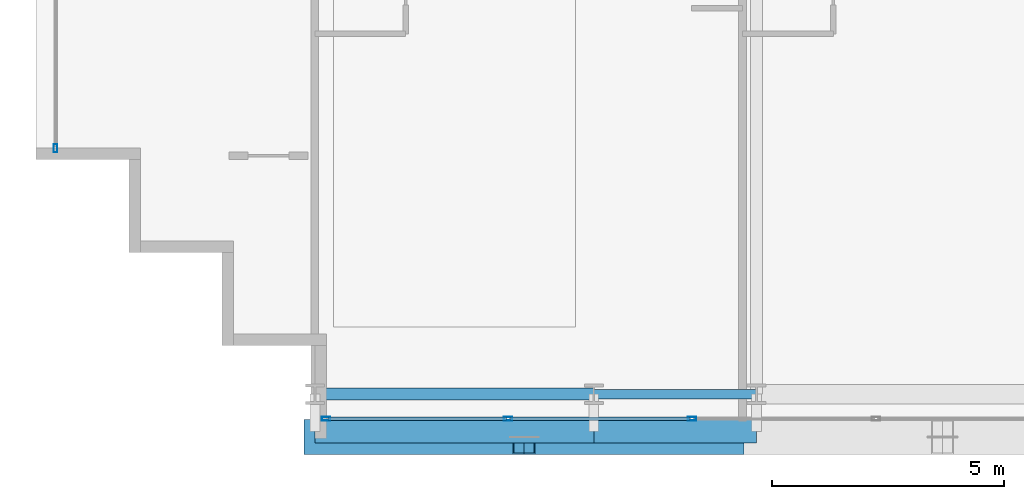
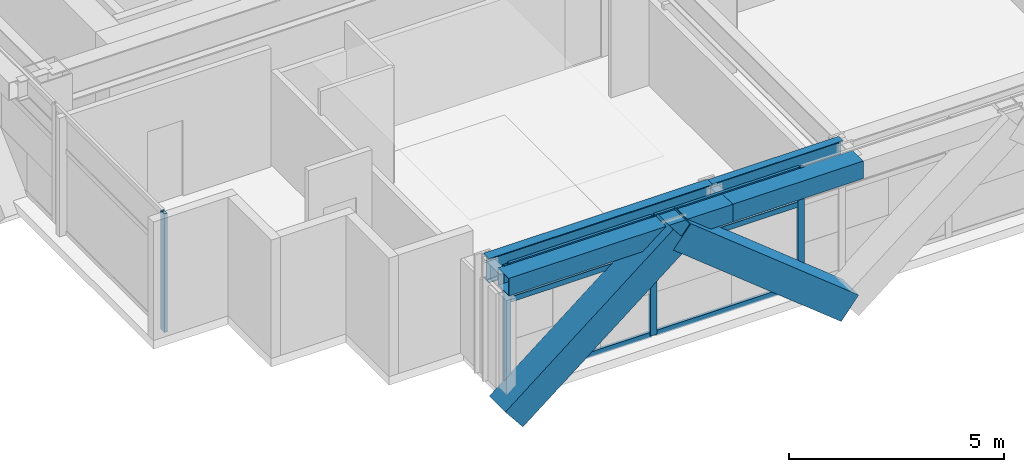
# One storey, part 2 of 34: 12 members, 4 beams, 2 elements without a shape of their own.
"""IFC4 building model written with IfcOpenShell, lengths in metres."""

import ifcopenshell
import ifcopenshell.guid

model = None  # the IFC model being written
_history = None  # IfcOwnerHistory: only IFC2X3 demands one
_inside = {}  # id of a spatial element -> (the spatial element, [elements in it])
_under = {}  # id of a project, library or spatial element -> (it, [spatial elements below it])
_declared = {}  # id of a project -> (the project, [libraries it declares])
_typed = {}  # id of a type object -> (the type object, [elements of that type])
_made_of = {}  # id of a material, layer set ... -> (it, [elements and type objects made of it])


def new_model(schema):
    """Start an empty IFC model of exactly this schema.

    Asked for "IFC4X3", IfcOpenShell would pick the latest addendum, in which some entities
    have other attributes; the version numbers below select the first issue.
    IFC2X3 requires an IfcOwnerHistory on every rooted entity: one is made here for all.
    """
    global model, _history
    if schema == "IFC4X3":
        model = ifcopenshell.file(schema_version=(4, 3, 0, 0))
    else:
        model = ifcopenshell.file(schema=schema)
    _inside.clear()
    _under.clear()
    _declared.clear()
    _typed.clear()
    _made_of.clear()
    _history = None
    if model.schema == "IFC2X3":
        org = make("IfcOrganization", Name="unknown")
        user = make(
            "IfcPersonAndOrganization",
            ThePerson=make("IfcPerson", FamilyName="unknown"),
            TheOrganization=org,
        )
        app = make(
            "IfcApplication",
            ApplicationDeveloper=org,
            Version="unknown",
            ApplicationFullName="unknown",
            ApplicationIdentifier="unknown",
        )
        _history = make(
            "IfcOwnerHistory",
            OwningUser=user,
            OwningApplication=app,
            ChangeAction="ADDED",
            CreationDate=0,
        )
    return model


def make(cls, **values):
    """One entity of the class cls with the attributes given. An attribute that is None is left unset."""
    return model.create_entity(
        cls, **{name: value for name, value in values.items() if value is not None}
    )


def rooted(cls, **values):
    """An entity with a GlobalId (a new one), such as an element, a storey or a relation."""
    return make(cls, GlobalId=ifcopenshell.guid.new(), OwnerHistory=_history, **values)


def si_unit(unit_type, name, prefix=None):
    """IfcSIUnit, for example si_unit("LENGTHUNIT", "METRE", prefix="MILLI")."""
    return make("IfcSIUnit", UnitType=unit_type, Prefix=prefix, Name=name)


def assignment(units):
    """IfcUnitAssignment: the units of a project."""
    return None if units is None else make("IfcUnitAssignment", Units=units)


def point(xyz):
    """IfcCartesianPoint."""
    return None if xyz is None else make("IfcCartesianPoint", Coordinates=xyz)


def direction(xyz):
    """IfcDirection."""
    return None if xyz is None else make("IfcDirection", DirectionRatios=xyz)


def frame(location, z_axis=None, x_axis=None):
    """IfcAxis2Placement3D, a coordinate frame: its origin and axes. An axis left out is left unset."""
    return make(
        "IfcAxis2Placement3D",
        Location=point(location),
        Axis=direction(z_axis),
        RefDirection=direction(x_axis),
    )


def frame_2d(location, x_axis=None):
    """IfcAxis2Placement2D, a coordinate frame in the plane: its origin and x axis."""
    return make(
        "IfcAxis2Placement2D", Location=point(location), RefDirection=direction(x_axis)
    )


def origin():
    """The frame at (0, 0, 0) with its axes left unset."""
    return frame((0.0, 0.0, 0.0))


def origin_2d():
    """The frame at (0, 0) in the plane with its x axis left unset."""
    return frame_2d((0.0, 0.0))


def place(relative_to, where):
    """IfcLocalPlacement: puts the frame where relative to a parent placement (None: the world)."""
    return make(
        "IfcLocalPlacement", PlacementRelTo=relative_to, RelativePlacement=where
    )


def context(
    kind, dimensions, precision=None, world=None, true_north=None, identifier=None
):
    """IfcGeometricRepresentationContext, for example the 3D "Model" context."""
    return make(
        "IfcGeometricRepresentationContext",
        ContextIdentifier=identifier,
        ContextType=kind,
        CoordinateSpaceDimension=dimensions,
        Precision=precision,
        WorldCoordinateSystem=world,
        TrueNorth=true_north,
    )


def subcontext(parent, identifier, kind, view, scale=None):
    """IfcGeometricRepresentationSubContext, for example "Body" below "Model"."""
    return make(
        "IfcGeometricRepresentationSubContext",
        ContextIdentifier=identifier,
        ContextType=kind,
        ParentContext=parent,
        TargetScale=scale,
        TargetView=view,
    )


def project(units=None, contexts=None):
    """IfcProject with its units and contexts."""
    return rooted(
        "IfcProject",
        Name="project",
        RepresentationContexts=contexts,
        UnitsInContext=assignment(units),
    )


def spatial(cls, under=None, at=None, **own):
    """A site, building, storey or space (cls), placed at a placement, below another one or the project."""
    s = rooted(cls, ObjectPlacement=at, **own)
    if under is not None:
        _under.setdefault(under.id(), (under, []))[1].append(s)
    return s


def profile(cls, at=None, kind="AREA", **sizes):
    """A parametric profile (cls). Its sizes go by their IFC names, for example OverallWidth=200.0."""
    return make(cls, ProfileType=kind, Position=at, **sizes)


def hollow_rectangle(**sizes):
    """IfcRectangleHollowProfileDef."""
    return profile("IfcRectangleHollowProfileDef", **sizes)


def i_section(**sizes):
    """IfcIShapeProfileDef."""
    return profile("IfcIShapeProfileDef", **sizes)


def extrude(swept, where, along, depth):
    """IfcExtrudedAreaSolid: the profile swept, set in the frame where, extruded along a direction by depth."""
    return make(
        "IfcExtrudedAreaSolid",
        SweptArea=swept,
        Position=where,
        ExtrudedDirection=direction(along),
        Depth=depth,
    )


def shape(context_of_items, identifier, shape_type, items):
    """IfcShapeRepresentation: the items that make up one representation, for example the "Body"."""
    return make(
        "IfcShapeRepresentation",
        ContextOfItems=context_of_items,
        RepresentationIdentifier=identifier,
        RepresentationType=shape_type,
        Items=items,
    )


def source(mapping_origin, context_of_items, identifier, shape_type, items):
    """IfcRepresentationMap: a shape defined once, which mapped items show again and again."""
    return make(
        "IfcRepresentationMap",
        MappingOrigin=mapping_origin,
        MappedRepresentation=shape(context_of_items, identifier, shape_type, items),
    )


def transform(
    local_origin,
    x_axis=None,
    y_axis=None,
    z_axis=None,
    scale=None,
    scale2=None,
    scale3=None,
    uniform=True,
):
    """IfcCartesianTransformationOperator3D, or its non-uniform kind. x_axis, y_axis, z_axis: its Axis1, 2, 3."""
    if uniform:
        return make(
            "IfcCartesianTransformationOperator3D",
            Axis1=direction(x_axis),
            Axis2=direction(y_axis),
            LocalOrigin=point(local_origin),
            Scale=scale,
            Axis3=direction(z_axis),
        )
    return make(
        "IfcCartesianTransformationOperator3DnonUniform",
        Axis1=direction(x_axis),
        Axis2=direction(y_axis),
        LocalOrigin=point(local_origin),
        Scale=scale,
        Axis3=direction(z_axis),
        Scale2=scale2,
        Scale3=scale3,
    )


def mapped(mapping_source, mapping_target):
    """IfcMappedItem: shows the shape of a source again, moved by a transform."""
    return make(
        "IfcMappedItem", MappingSource=mapping_source, MappingTarget=mapping_target
    )


def material(Name=None, Category=None):
    """IfcMaterial."""
    return make("IfcMaterial", Name=Name, Category=Category)


def layer(
    of_material, thickness, ventilated=None, Name=None, Category=None, Priority=None
):
    """IfcMaterialLayer: one layer of a wall or slab, of a material (None: an air gap)."""
    return make(
        "IfcMaterialLayer",
        Material=of_material,
        LayerThickness=thickness,
        IsVentilated=ventilated,
        Name=Name,
        Category=Category,
        Priority=Priority,
    )


def layer_set(layers, Name=None):
    """IfcMaterialLayerSet."""
    return make("IfcMaterialLayerSet", MaterialLayers=layers, LayerSetName=Name)


def material_profile(
    of_material, cross_section, Name=None, Category=None, Priority=None
):
    """IfcMaterialProfile: a cross section and its material."""
    return make(
        "IfcMaterialProfile",
        Name=Name,
        Material=of_material,
        Profile=cross_section,
        Priority=Priority,
        Category=Category,
    )


def profile_set(profiles, Name=None, composite=None):
    """IfcMaterialProfileSet."""
    return make(
        "IfcMaterialProfileSet",
        Name=Name,
        MaterialProfiles=profiles,
        CompositeProfile=composite,
    )


def made_of(thing, what):
    """Note that an element or type object is made of a material, layer set ...; save() writes the relation."""
    if what is not None:
        _made_of.setdefault(what.id(), (what, []))[1].append(thing)
    return thing


def type_object(cls, material=None, **own):
    """A type object (cls), such as IfcWallType, which elements share."""
    return made_of(rooted(cls, **own), material)


def element(
    cls,
    number,
    at=None,
    inside=None,
    cuts=None,
    type_object=None,
    material=None,
    context=None,
    identifier="Body",
    shape_type=None,
    held_by="IfcProductDefinitionShape",
    body=None,
    shapes=None,
    **own,
):
    """One element of the class cls, such as IfcWall. Its Tag is "e" and its number.

    at: its placement. inside: the storey or other place that contains it. cuts: it is an
    opening in that element (IfcRelVoidsElement). A single representation is given by context,
    identifier, shape_type and body (its items); several are given by shapes. held_by: the class
    of the entity that holds the representations. save() writes the other relations.
    """
    e = rooted(cls, Tag="e%d" % number, ObjectPlacement=at, **own)
    if body is not None:
        shapes = [shape(context, identifier, shape_type, body)]
    if shapes is not None:
        e.Representation = make(held_by, Representations=shapes)
    if inside is not None:
        _inside.setdefault(inside.id(), (inside, []))[1].append(e)
    if cuts is not None:
        rooted(
            "IfcRelVoidsElement", RelatingBuildingElement=cuts, RelatedOpeningElement=e
        )
    if type_object is not None:
        _typed.setdefault(type_object.id(), (type_object, []))[1].append(e)
    return made_of(e, material)


def aggregate(whole, parts):
    """IfcRelAggregates: a whole, such as a stair, and the parts it consists of."""
    return rooted("IfcRelAggregates", RelatingObject=whole, RelatedObjects=parts)


def save(model, path):
    """Write the relations noted so far, then the file.

    IfcRelAggregates (storeys below a building ...), IfcRelContainedInSpatialStructure (elements
    in a storey), IfcRelDefinesByType, IfcRelAssociatesMaterial and IfcRelDeclares: one each for
    every whole, place, type object, material and project.
    """
    for whole, parts in _under.values():
        aggregate(whole, parts)
    for where, things in _inside.values():
        rooted(
            "IfcRelContainedInSpatialStructure",
            RelatedElements=things,
            RelatingStructure=where,
        )
    for kind, things in _typed.values():
        rooted("IfcRelDefinesByType", RelatedObjects=things, RelatingType=kind)
    for what, things in _made_of.values():
        rooted("IfcRelAssociatesMaterial", RelatedObjects=things, RelatingMaterial=what)
    for by, libraries in _declared.values():
        rooted("IfcRelDeclares", RelatingContext=by, RelatedDefinitions=libraries)
    model.write(path)


model = new_model("IFC4")

# Units and contexts
model_context = context("Model", 3, precision=1e-05, world=origin(), true_north=direction((0.0, 1.0)))
body_context = subcontext(model_context, "Body", "Model", "MODEL_VIEW")
ifc_project = project(units=[si_unit("LENGTHUNIT", "METRE"), si_unit("AREAUNIT", "SQUARE_METRE"), si_unit("VOLUMEUNIT", "CUBIC_METRE"), si_unit("PLANEANGLEUNIT", "RADIAN"), si_unit("MASSUNIT", "GRAM", prefix="KILO")], contexts=[model_context])

# Site, building, storey
site_placement = place(None, origin())
site = spatial("IfcSite", under=ifc_project, at=site_placement, CompositionType="ELEMENT")
building_placement = place(site_placement, origin())
building = spatial("IfcBuilding", under=site, at=building_placement, Name="Ocotamira Hotel", CompositionType="ELEMENT")
storey_placement = place(building_placement, frame((0.0, 0.0, 111.60009765625)))
storey = spatial("IfcBuildingStorey", under=building, at=storey_placement, Name="L27", CompositionType="ELEMENT", Elevation=111.60009765625)

# Beams
ifc_material_1 = material(Name="Steel ASTM A992 Grade 50", Category="steel")
ifc_material_profile_1 = material_profile(ifc_material_1, i_section(OverallWidth=0.256103515625, OverallDepth=0.693115234375, WebThickness=0.014404296875, FlangeThickness=0.023681640625, FilletRadius=0.01611328125, at=origin_2d()), Name="W27X114")
ifc_profile_set_1 = profile_set([ifc_material_profile_1], Name="Steel ASTM A992 Grade 50")
beam_type_1 = type_object("IfcBeamType", Name="BM-PRIM-W27X114", PredefinedType="BEAM", material=ifc_profile_set_1)
shared_shape_1 = source(origin(), body_context, "Body", "SweptSolid", [
    extrude(i_section(OverallWidth=0.256103515625, OverallDepth=0.693115234375, WebThickness=0.014404296875, FlangeThickness=0.023681640625, FilletRadius=0.01611328125, at=origin_2d()), origin(), (0.0, 0.0, 1.0), 6.0),
])
beam_1_placement = place(storey_placement, frame((14.0, 2.949951171875, 3.013427734375), z_axis=(1.0, 0.0, 0.0), x_axis=(0.0, 1.0, 0.0)))
element("IfcBeam", 1, at=beam_1_placement, inside=storey, type_object=beam_type_1, Name="L27 Girder Y2.95 X14-20", PredefinedType="BEAM", context=body_context, shape_type="MappedRepresentation", body=[
    mapped(shared_shape_1, transform((0.0, 0.0, 0.0), scale=1.0)),
])
ifc_material_profile_2 = material_profile(ifc_material_1, i_section(OverallWidth=0.2099609375, OverallDepth=0.537109375, WebThickness=0.010986328125, FlangeThickness=0.017333984375, FilletRadius=0.012939453125, at=origin_2d()), Name="W21X68")
ifc_profile_set_2 = profile_set([ifc_material_profile_2], Name="Steel ASTM A992 Grade 50")
beam_type_2 = type_object("IfcBeamType", Name="BM-SEC-W21X68", PredefinedType="JOIST", material=ifc_profile_set_2)
shared_shape_2 = source(origin(), body_context, "Body", "SweptSolid", [
    extrude(i_section(OverallWidth=0.2099609375, OverallDepth=0.537109375, WebThickness=0.010986328125, FlangeThickness=0.017333984375, FilletRadius=0.012939453125, at=origin_2d()), origin(), (0.0, 0.0, 1.0), 3.5),
])
beam_2_placement = place(storey_placement, frame((20.0, 2.949951171875, 3.09130859375), z_axis=(1.0, 0.0, 0.0), x_axis=(0.0, 1.0, 0.0)))
element("IfcBeam", 2, at=beam_2_placement, inside=storey, type_object=beam_type_2, Name="L27 Girder Y2.95 X20-23.5", PredefinedType="JOIST", context=body_context, shape_type="MappedRepresentation", body=[
    mapped(shared_shape_2, transform((0.0, 0.0, 0.0), scale=1.0)),
])
ifc_material_2 = material(Name="Steel ASTM A500 Grade C", Category="steel")
ifc_material_profile_3 = material_profile(ifc_material_2, hollow_rectangle(XDim=0.5, YDim=0.5, WallThickness=0.02001953125, at=origin_2d()), Name="HSS500X500X20")
ifc_profile_set_3 = profile_set([ifc_material_profile_3], Name="Steel ASTM A500 Grade C")
beam_type_3 = type_object("IfcBeamType", Name="BM-SPAN-HSS500", PredefinedType="USERDEFINED", material=ifc_profile_set_3)
shared_shape_3 = source(origin(), body_context, "Body", "SweptSolid", [
    extrude(hollow_rectangle(XDim=0.5, YDim=0.5, WallThickness=0.02001953125, at=origin_2d()), origin(), (0.0, 0.0, 1.0), 6.0),
])
beam_3_placement = place(storey_placement, frame((14.0, 2.14990234375, 3.10986328125), z_axis=(1.0, 0.0, 0.0), x_axis=(0.0, 1.0, 0.0)))
element("IfcBeam", 3, at=beam_3_placement, inside=storey, type_object=beam_type_3, Name="L27 Edge Spandrel S X14-20", ObjectType="SPANDREL", PredefinedType="USERDEFINED", context=body_context, shape_type="MappedRepresentation", body=[
    mapped(shared_shape_3, transform((0.0, 0.0, 0.0), scale=1.0)),
])
shared_shape_4 = source(origin(), body_context, "Body", "SweptSolid", [
    extrude(hollow_rectangle(XDim=0.5, YDim=0.5, WallThickness=0.02001953125, at=origin_2d()), origin(), (0.0, 0.0, 1.0), 3.5),
])
beam_4_placement = place(storey_placement, frame((20.0, 2.14990234375, 3.10986328125), z_axis=(1.0, 0.0, 0.0), x_axis=(0.0, 1.0, 0.0)))
element("IfcBeam", 4, at=beam_4_placement, inside=storey, type_object=beam_type_3, Name="L27 Edge Spandrel S X20-23.5", ObjectType="SPANDREL", PredefinedType="USERDEFINED", context=body_context, shape_type="MappedRepresentation", body=[
    mapped(shared_shape_4, transform((0.0, 0.0, 0.0), scale=1.0)),
])

# Members
ifc_material_3 = material(Name="Pale-metal coated steel ASTM A913 Grade 65", Category="steel")
ifc_material_profile_4 = material_profile(ifc_material_3, hollow_rectangle(XDim=0.75, YDim=0.75, WallThickness=0.028076171875, at=origin_2d()), Name="BOX750X750X28")
ifc_profile_set_4 = profile_set([ifc_material_profile_4], Name="Pale-metal coated steel ASTM A913 Grade 65")
member_type_1 = type_object("IfcMemberType", Name="MEM-EXO-BOX750", PredefinedType="BRACE", material=ifc_profile_set_4)
shared_shape_5 = source(origin(), body_context, "Body", "SweptSolid", [
    extrude(hollow_rectangle(XDim=0.75, YDim=0.75, WallThickness=0.028076171875, at=origin_2d()), origin(), (0.0, 0.0, 1.0), 5.7626953125),
])
for number, where, z_axis, x_axis, name in (
    (5, (14.0, 2.030029296875, -0.489990234375), (0.780881208953, 0.0, 0.624679547852), (0.0, 1.0, 0.0), "L27 Exoskeleton Diagrid S0.1"),
    (6, (23.0, 2.030029296875, -0.489990234375), (-0.780881208953, 0.0, 0.624679547852), (0.0, -1.0, 0.0), "L27 Exoskeleton Diagrid S0.2"),
):
    element("IfcMember", number, at=place(storey_placement, frame(where, z_axis=z_axis, x_axis=x_axis)), inside=storey, type_object=member_type_1, Name=name, PredefinedType="BRACE", context=body_context, shape_type="MappedRepresentation", body=[
        mapped(shared_shape_5, transform((0.0, 0.0, 0.0), scale=1.0)),
    ])

# Curtain wall, members
ifc_material_4 = material(Name="Anodised pale-metal aluminium and solar glass", Category="aluminium")
ifc_layer = layer(ifc_material_4, 0.179931640625)
ifc_layer_set = layer_set([ifc_layer], Name="Anodised pale-metal aluminium and solar glass")
curtain_wall_type = type_object("IfcCurtainWallType", Name="CW-SYS3-Z2", PredefinedType="NOTDEFINED", material=ifc_layer_set)
curtain_wall_1_placement = place(storey_placement, origin())
curtain_wall_1 = element("IfcCurtainWall", 7, at=curtain_wall_1_placement, inside=storey, type_object=curtain_wall_type, Name="L27 Curtain Wall CW-3 CW-L27-S1", PredefinedType="NOTDEFINED")
ifc_material_5 = material(Name="Anodised pale-metal aluminium 6063-T6", Category="aluminium")
ifc_material_profile_5 = material_profile(ifc_material_5, hollow_rectangle(XDim=0.074951171875, YDim=0.14990234375, WallThickness=0.006103515625, at=origin_2d()), Name="HSS150X75X6")
ifc_profile_set_5 = profile_set([ifc_material_profile_5], Name="Anodised pale-metal aluminium 6063-T6")
member_type_2 = type_object("IfcMemberType", Name="CWT-150X75", PredefinedType="USERDEFINED", material=ifc_profile_set_5)
shared_shape_6 = source(origin(), body_context, "Body", "SweptSolid", [
    extrude(hollow_rectangle(XDim=0.074951171875, YDim=0.14990234375, WallThickness=0.006103515625, at=origin_2d()), origin(), (0.0, 0.0, 1.0), 3.83544921875),
])
member_1_placement = place(storey_placement, frame((14.280029296875, 2.419921875, 0.037353515625), z_axis=(1.0, 0.0, 0.0), x_axis=(0.0, 1.0, 0.0)))
member_1 = element("IfcMember", 8, at=member_1_placement, type_object=member_type_2, Name="CW-3 transom 1.1", ObjectType="TRANSOM", PredefinedType="USERDEFINED", context=body_context, shape_type="MappedRepresentation", body=[
    mapped(shared_shape_6, transform((0.0, 0.0, 0.0), scale=1.0)),
])
member_2_placement = place(storey_placement, frame((14.280029296875, 2.419921875, 2.349853515625), z_axis=(1.0, 0.0, 0.0), x_axis=(0.0, 1.0, 0.0)))
member_2 = element("IfcMember", 9, at=member_2_placement, type_object=member_type_2, Name="CW-3 transom 1.2", ObjectType="TRANSOM", PredefinedType="USERDEFINED", context=body_context, shape_type="MappedRepresentation", body=[
    mapped(shared_shape_6, transform((0.0, 0.0, 0.0), scale=1.0)),
])
member_3_placement = place(storey_placement, frame((14.280029296875, 2.419921875, 3.322509765625), z_axis=(1.0, 0.0, 0.0), x_axis=(0.0, 1.0, 0.0)))
member_3 = element("IfcMember", 10, at=member_3_placement, type_object=member_type_2, Name="CW-3 transom 1.3", ObjectType="TRANSOM", PredefinedType="USERDEFINED", context=body_context, shape_type="MappedRepresentation", body=[
    mapped(shared_shape_6, transform((0.0, 0.0, 0.0), scale=1.0)),
])
shared_shape_7 = source(origin(), body_context, "Body", "SweptSolid", [
    extrude(hollow_rectangle(XDim=0.074951171875, YDim=0.14990234375, WallThickness=0.006103515625, at=origin_2d()), origin(), (0.0, 0.0, 1.0), 3.87548828125),
])
member_4_placement = place(storey_placement, frame((18.195556640625, 2.419921875, 0.037353515625), z_axis=(1.0, 0.0, 0.0), x_axis=(0.0, 1.0, 0.0)))
member_4 = element("IfcMember", 11, at=member_4_placement, type_object=member_type_2, Name="CW-3 transom 2.1", ObjectType="TRANSOM", PredefinedType="USERDEFINED", context=body_context, shape_type="MappedRepresentation", body=[
    mapped(shared_shape_7, transform((0.0, 0.0, 0.0), scale=1.0)),
])
member_5_placement = place(storey_placement, frame((18.195556640625, 2.419921875, 2.349853515625), z_axis=(1.0, 0.0, 0.0), x_axis=(0.0, 1.0, 0.0)))
member_5 = element("IfcMember", 12, at=member_5_placement, type_object=member_type_2, Name="CW-3 transom 2.2", ObjectType="TRANSOM", PredefinedType="USERDEFINED", context=body_context, shape_type="MappedRepresentation", body=[
    mapped(shared_shape_7, transform((0.0, 0.0, 0.0), scale=1.0)),
])
member_6_placement = place(storey_placement, frame((18.195556640625, 2.419921875, 3.322509765625), z_axis=(1.0, 0.0, 0.0), x_axis=(0.0, 1.0, 0.0)))
member_6 = element("IfcMember", 13, at=member_6_placement, type_object=member_type_2, Name="CW-3 transom 2.3", ObjectType="TRANSOM", PredefinedType="USERDEFINED", context=body_context, shape_type="MappedRepresentation", body=[
    mapped(shared_shape_7, transform((0.0, 0.0, 0.0), scale=1.0)),
])
ifc_material_profile_6 = material_profile(ifc_material_5, hollow_rectangle(XDim=0.080078125, YDim=0.179931640625, WallThickness=0.006103515625, at=origin_2d()), Name="HSS180X80X6")
ifc_profile_set_6 = profile_set([ifc_material_profile_6], Name="Anodised pale-metal aluminium 6063-T6")
member_type_3 = type_object("IfcMemberType", Name="CWM-180X75", PredefinedType="MULLION", material=ifc_profile_set_6)
shared_shape_8 = source(origin(), body_context, "Body", "SweptSolid", [
    extrude(hollow_rectangle(XDim=0.080078125, YDim=0.179931640625, WallThickness=0.006103515625, at=origin_2d()), origin(), (0.0, 0.0, 1.0), 3.35986328125),
])
member_7_placement = place(storey_placement, frame((14.239990234375, 2.419921875, 0.0), z_axis=(0.0, 0.0, 1.0), x_axis=(0.0, 1.0, 0.0)))
member_7 = element("IfcMember", 14, at=member_7_placement, type_object=member_type_3, Name="CW-3 mullion 1", PredefinedType="MULLION", context=body_context, shape_type="MappedRepresentation", body=[
    mapped(shared_shape_8, transform((0.0, 0.0, 0.0), scale=1.0)),
])
member_8_placement = place(storey_placement, frame((18.155517578125, 2.419921875, 0.0), z_axis=(0.0, 0.0, 1.0), x_axis=(0.0, 1.0, 0.0)))
member_8 = element("IfcMember", 15, at=member_8_placement, type_object=member_type_3, Name="CW-3 mullion 2", PredefinedType="MULLION", context=body_context, shape_type="MappedRepresentation", body=[
    mapped(shared_shape_8, transform((0.0, 0.0, 0.0), scale=1.0)),
])
member_9_placement = place(storey_placement, frame((22.111083984375, 2.419921875, 0.0), z_axis=(0.0, 0.0, 1.0), x_axis=(0.0, 1.0, 0.0)))
member_9 = element("IfcMember", 16, at=member_9_placement, type_object=member_type_3, Name="CW-3 mullion 3", PredefinedType="MULLION", context=body_context, shape_type="MappedRepresentation", body=[
    mapped(shared_shape_8, transform((0.0, 0.0, 0.0), scale=1.0)),
])
aggregate(curtain_wall_1, [member_7, member_8, member_9, member_1, member_2, member_3, member_4, member_5, member_6])

# Curtain wall, member
curtain_wall_2_placement = place(storey_placement, origin())
curtain_wall_2 = element("IfcCurtainWall", 17, at=curtain_wall_2_placement, inside=storey, type_object=curtain_wall_type, Name="L27 Curtain Wall CW-3 CW-L27-W", PredefinedType="NOTDEFINED")
member_10_placement = place(storey_placement, frame((8.419921875, 8.239990234375, 0.0), z_axis=(0.0, 0.0, 1.0), x_axis=(-1.0, 0.0, 0.0)))
member_10 = element("IfcMember", 18, at=member_10_placement, type_object=member_type_3, Name="CW-3 mullion 1", PredefinedType="MULLION", context=body_context, shape_type="MappedRepresentation", body=[
    mapped(shared_shape_8, transform((0.0, 0.0, 0.0), scale=1.0)),
])
aggregate(curtain_wall_2, [member_10])

save(model, "model.ifc")
